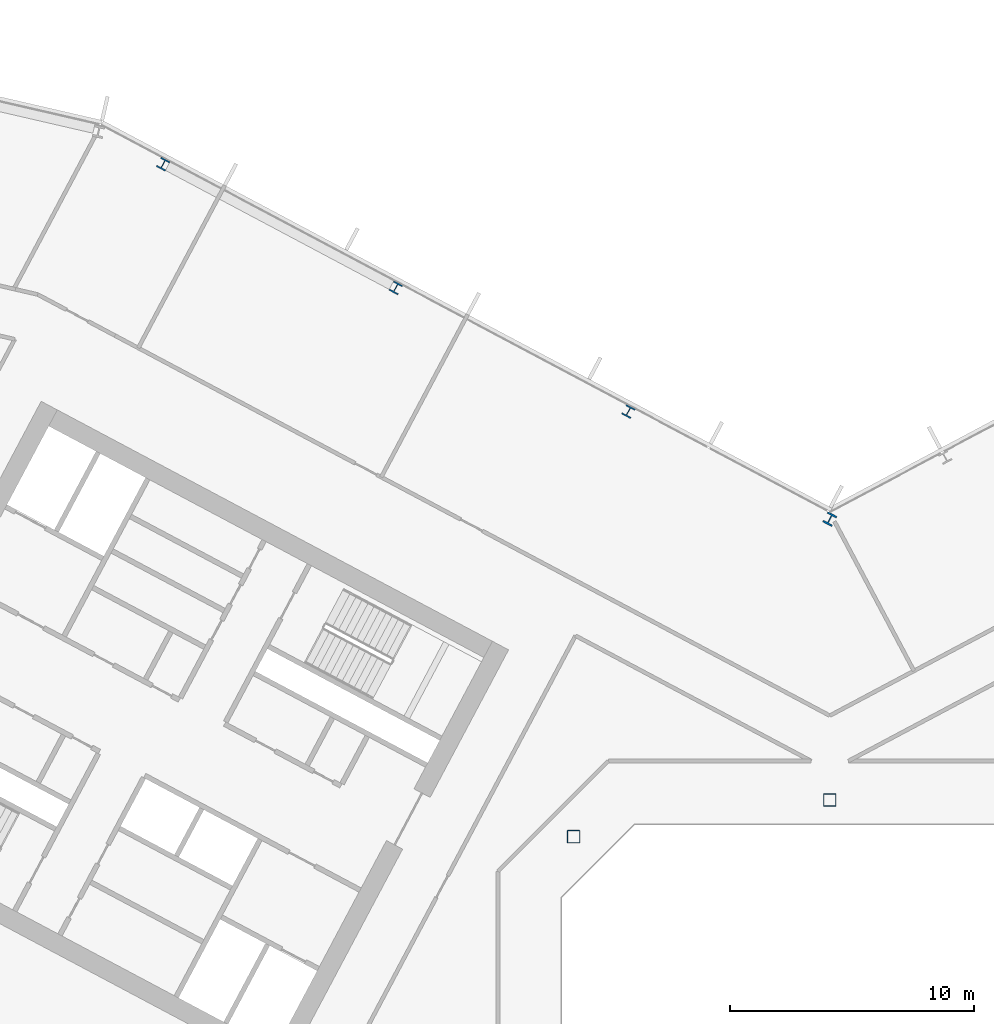
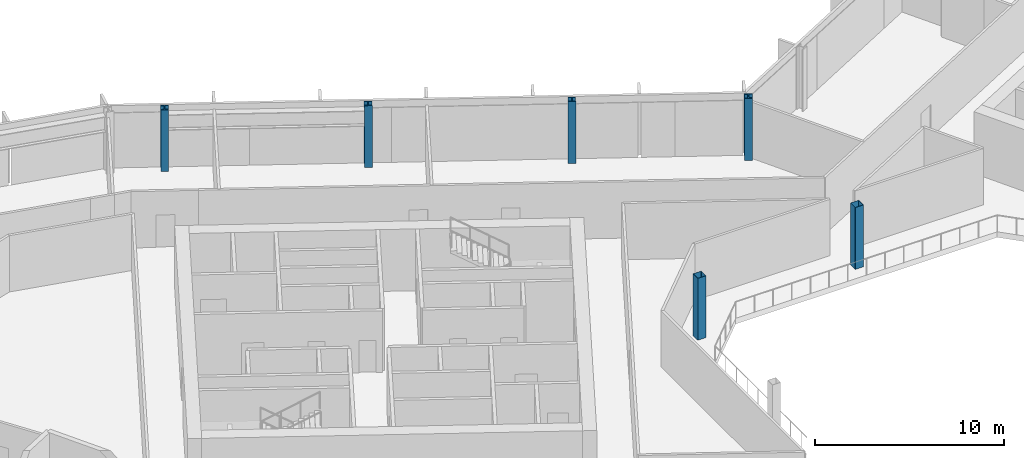
# One storey, part 4 of 28: 6 columns.
"""IFC4 building model written with IfcOpenShell, lengths in metres."""

import ifcopenshell
import ifcopenshell.guid

model = None  # the IFC model being written
_history = None  # IfcOwnerHistory: only IFC2X3 demands one
_inside = {}  # id of a spatial element -> (the spatial element, [elements in it])
_under = {}  # id of a project, library or spatial element -> (it, [spatial elements below it])
_declared = {}  # id of a project -> (the project, [libraries it declares])
_typed = {}  # id of a type object -> (the type object, [elements of that type])
_made_of = {}  # id of a material, layer set ... -> (it, [elements and type objects made of it])


def new_model(schema):
    """Start an empty IFC model of exactly this schema.

    Asked for "IFC4X3", IfcOpenShell would pick the latest addendum, in which some entities
    have other attributes; the version numbers below select the first issue.
    IFC2X3 requires an IfcOwnerHistory on every rooted entity: one is made here for all.
    """
    global model, _history
    if schema == "IFC4X3":
        model = ifcopenshell.file(schema_version=(4, 3, 0, 0))
    else:
        model = ifcopenshell.file(schema=schema)
    _inside.clear()
    _under.clear()
    _declared.clear()
    _typed.clear()
    _made_of.clear()
    _history = None
    if model.schema == "IFC2X3":
        org = make("IfcOrganization", Name="unknown")
        user = make(
            "IfcPersonAndOrganization",
            ThePerson=make("IfcPerson", FamilyName="unknown"),
            TheOrganization=org,
        )
        app = make(
            "IfcApplication",
            ApplicationDeveloper=org,
            Version="unknown",
            ApplicationFullName="unknown",
            ApplicationIdentifier="unknown",
        )
        _history = make(
            "IfcOwnerHistory",
            OwningUser=user,
            OwningApplication=app,
            ChangeAction="ADDED",
            CreationDate=0,
        )
    return model


def make(cls, **values):
    """One entity of the class cls with the attributes given. An attribute that is None is left unset."""
    return model.create_entity(
        cls, **{name: value for name, value in values.items() if value is not None}
    )


def rooted(cls, **values):
    """An entity with a GlobalId (a new one), such as an element, a storey or a relation."""
    return make(cls, GlobalId=ifcopenshell.guid.new(), OwnerHistory=_history, **values)


def si_unit(unit_type, name, prefix=None):
    """IfcSIUnit, for example si_unit("LENGTHUNIT", "METRE", prefix="MILLI")."""
    return make("IfcSIUnit", UnitType=unit_type, Prefix=prefix, Name=name)


def assignment(units):
    """IfcUnitAssignment: the units of a project."""
    return None if units is None else make("IfcUnitAssignment", Units=units)


def point(xyz):
    """IfcCartesianPoint."""
    return None if xyz is None else make("IfcCartesianPoint", Coordinates=xyz)


def direction(xyz):
    """IfcDirection."""
    return None if xyz is None else make("IfcDirection", DirectionRatios=xyz)


def frame(location, z_axis=None, x_axis=None):
    """IfcAxis2Placement3D, a coordinate frame: its origin and axes. An axis left out is left unset."""
    return make(
        "IfcAxis2Placement3D",
        Location=point(location),
        Axis=direction(z_axis),
        RefDirection=direction(x_axis),
    )


def frame_2d(location, x_axis=None):
    """IfcAxis2Placement2D, a coordinate frame in the plane: its origin and x axis."""
    return make(
        "IfcAxis2Placement2D", Location=point(location), RefDirection=direction(x_axis)
    )


def origin():
    """The frame at (0, 0, 0) with its axes left unset."""
    return frame((0.0, 0.0, 0.0))


def origin_2d():
    """The frame at (0, 0) in the plane with its x axis left unset."""
    return frame_2d((0.0, 0.0))


def place(relative_to, where):
    """IfcLocalPlacement: puts the frame where relative to a parent placement (None: the world)."""
    return make(
        "IfcLocalPlacement", PlacementRelTo=relative_to, RelativePlacement=where
    )


def context(
    kind, dimensions, precision=None, world=None, true_north=None, identifier=None
):
    """IfcGeometricRepresentationContext, for example the 3D "Model" context."""
    return make(
        "IfcGeometricRepresentationContext",
        ContextIdentifier=identifier,
        ContextType=kind,
        CoordinateSpaceDimension=dimensions,
        Precision=precision,
        WorldCoordinateSystem=world,
        TrueNorth=true_north,
    )


def subcontext(parent, identifier, kind, view, scale=None):
    """IfcGeometricRepresentationSubContext, for example "Body" below "Model"."""
    return make(
        "IfcGeometricRepresentationSubContext",
        ContextIdentifier=identifier,
        ContextType=kind,
        ParentContext=parent,
        TargetScale=scale,
        TargetView=view,
    )


def project(units=None, contexts=None):
    """IfcProject with its units and contexts."""
    return rooted(
        "IfcProject",
        Name="project",
        RepresentationContexts=contexts,
        UnitsInContext=assignment(units),
    )


def spatial(cls, under=None, at=None, **own):
    """A site, building, storey or space (cls), placed at a placement, below another one or the project."""
    s = rooted(cls, ObjectPlacement=at, **own)
    if under is not None:
        _under.setdefault(under.id(), (under, []))[1].append(s)
    return s


def profile(cls, at=None, kind="AREA", **sizes):
    """A parametric profile (cls). Its sizes go by their IFC names, for example OverallWidth=200.0."""
    return make(cls, ProfileType=kind, Position=at, **sizes)


def hollow_rectangle(**sizes):
    """IfcRectangleHollowProfileDef."""
    return profile("IfcRectangleHollowProfileDef", **sizes)


def i_section(**sizes):
    """IfcIShapeProfileDef."""
    return profile("IfcIShapeProfileDef", **sizes)


def extrude(swept, where, along, depth):
    """IfcExtrudedAreaSolid: the profile swept, set in the frame where, extruded along a direction by depth."""
    return make(
        "IfcExtrudedAreaSolid",
        SweptArea=swept,
        Position=where,
        ExtrudedDirection=direction(along),
        Depth=depth,
    )


def shape(context_of_items, identifier, shape_type, items):
    """IfcShapeRepresentation: the items that make up one representation, for example the "Body"."""
    return make(
        "IfcShapeRepresentation",
        ContextOfItems=context_of_items,
        RepresentationIdentifier=identifier,
        RepresentationType=shape_type,
        Items=items,
    )


def material(Name=None, Category=None):
    """IfcMaterial."""
    return make("IfcMaterial", Name=Name, Category=Category)


def material_profile(
    of_material, cross_section, Name=None, Category=None, Priority=None
):
    """IfcMaterialProfile: a cross section and its material."""
    return make(
        "IfcMaterialProfile",
        Name=Name,
        Material=of_material,
        Profile=cross_section,
        Priority=Priority,
        Category=Category,
    )


def profile_set(profiles, Name=None, composite=None):
    """IfcMaterialProfileSet."""
    return make(
        "IfcMaterialProfileSet",
        Name=Name,
        MaterialProfiles=profiles,
        CompositeProfile=composite,
    )


def made_of(thing, what):
    """Note that an element or type object is made of a material, layer set ...; save() writes the relation."""
    if what is not None:
        _made_of.setdefault(what.id(), (what, []))[1].append(thing)
    return thing


def type_object(cls, material=None, **own):
    """A type object (cls), such as IfcWallType, which elements share."""
    return made_of(rooted(cls, **own), material)


def element(
    cls,
    number,
    at=None,
    inside=None,
    cuts=None,
    type_object=None,
    material=None,
    context=None,
    identifier="Body",
    shape_type=None,
    held_by="IfcProductDefinitionShape",
    body=None,
    shapes=None,
    **own,
):
    """One element of the class cls, such as IfcWall. Its Tag is "e" and its number.

    at: its placement. inside: the storey or other place that contains it. cuts: it is an
    opening in that element (IfcRelVoidsElement). A single representation is given by context,
    identifier, shape_type and body (its items); several are given by shapes. held_by: the class
    of the entity that holds the representations. save() writes the other relations.
    """
    e = rooted(cls, Tag="e%d" % number, ObjectPlacement=at, **own)
    if body is not None:
        shapes = [shape(context, identifier, shape_type, body)]
    if shapes is not None:
        e.Representation = make(held_by, Representations=shapes)
    if inside is not None:
        _inside.setdefault(inside.id(), (inside, []))[1].append(e)
    if cuts is not None:
        rooted(
            "IfcRelVoidsElement", RelatingBuildingElement=cuts, RelatedOpeningElement=e
        )
    if type_object is not None:
        _typed.setdefault(type_object.id(), (type_object, []))[1].append(e)
    return made_of(e, material)


def aggregate(whole, parts):
    """IfcRelAggregates: a whole, such as a stair, and the parts it consists of."""
    return rooted("IfcRelAggregates", RelatingObject=whole, RelatedObjects=parts)


def save(model, path):
    """Write the relations noted so far, then the file.

    IfcRelAggregates (storeys below a building ...), IfcRelContainedInSpatialStructure (elements
    in a storey), IfcRelDefinesByType, IfcRelAssociatesMaterial and IfcRelDeclares: one each for
    every whole, place, type object, material and project.
    """
    for whole, parts in _under.values():
        aggregate(whole, parts)
    for where, things in _inside.values():
        rooted(
            "IfcRelContainedInSpatialStructure",
            RelatedElements=things,
            RelatingStructure=where,
        )
    for kind, things in _typed.values():
        rooted("IfcRelDefinesByType", RelatedObjects=things, RelatingType=kind)
    for what, things in _made_of.values():
        rooted("IfcRelAssociatesMaterial", RelatedObjects=things, RelatingMaterial=what)
    for by, libraries in _declared.values():
        rooted("IfcRelDeclares", RelatingContext=by, RelatedDefinitions=libraries)
    model.write(path)


model = new_model("IFC4")

# Units and contexts
model_context = context("Model", 3, precision=1e-05, world=origin(), true_north=direction((0.0, 1.0)))
body_context = subcontext(model_context, "Body", "Model", "MODEL_VIEW")
ifc_project = project(units=[si_unit("LENGTHUNIT", "METRE"), si_unit("AREAUNIT", "SQUARE_METRE"), si_unit("VOLUMEUNIT", "CUBIC_METRE"), si_unit("PLANEANGLEUNIT", "RADIAN"), si_unit("MASSUNIT", "GRAM", prefix="KILO")], contexts=[model_context])

# Site, building, storey
site_placement = place(None, origin())
site = spatial("IfcSite", under=ifc_project, at=site_placement, CompositionType="ELEMENT")
building_placement = place(site_placement, origin())
building = spatial("IfcBuilding", under=site, at=building_placement, Name="Cormorant Relay Tower", CompositionType="ELEMENT")
storey_placement = place(building_placement, frame((0.0, 0.0, 166.199951171875)))
storey = spatial("IfcBuildingStorey", under=building, at=storey_placement, Name="L35", CompositionType="ELEMENT", Elevation=166.199951171875)

# Columns
ifc_material_1 = material(Name="Steel ASTM A500 Grade C (Fy 345 MPa)", Category="steel")
ifc_material_profile_1 = material_profile(ifc_material_1, hollow_rectangle(XDim=0.508056640625, YDim=0.508056640625, WallThickness=0.01171875, InnerFilletRadius=0.005859375, OuterFilletRadius=0.017822265625, at=origin_2d()), Name="HSS508x508x12")
ifc_profile_set_1 = profile_set([ifc_material_profile_1], Name="Steel ASTM A500 Grade C (Fy 345 MPa)")
column_type_1 = type_object("IfcColumnType", Name="Column HSS508x508x12", PredefinedType="COLUMN", material=ifc_profile_set_1)
for number, where, z_axis, x_axis, name in (
    (1, (-10.5, 10.5, 0.0), (0.0, 0.0, 1.0), (1.0, 0.0, 0.0), "Column L35-023"),
    (2, (0.0, 12.0, 0.0), (0.0, 0.0, 1.0), (1.0, 0.0, 0.0), "Column L35-025"),
):
    element("IfcColumn", number, at=place(storey_placement, frame(where, z_axis=z_axis, x_axis=x_axis)), inside=storey, type_object=column_type_1, Name=name, PredefinedType="COLUMN", context=body_context, shape_type="SweptSolid", body=[
        extrude(hollow_rectangle(XDim=0.508056640625, YDim=0.508056640625, WallThickness=0.01171875, InnerFilletRadius=0.005859375, OuterFilletRadius=0.017822265625, at=origin_2d()), origin(), (0.0, 0.0, 1.0), 4.0),
    ])
ifc_material_2 = material(Name="Steel ASTM A992 (Fy 345 MPa)", Category="steel")
ifc_material_profile_2 = material_profile(ifc_material_2, i_section(OverallWidth=0.41162109375, OverallDepth=0.434326171875, WebThickness=0.035888671875, FlangeThickness=0.057373046875, FilletRadius=0.01513671875, at=origin_2d()), Name="W360x463")
ifc_profile_set_2 = profile_set([ifc_material_profile_2], Name="Steel ASTM A992 (Fy 345 MPa)")
column_type_2 = type_object("IfcColumnType", Name="Column W360x463", PredefinedType="COLUMN", material=ifc_profile_set_2)
for number, where, z_axis, x_axis, name in (
    (3, (-8.257080078125, 27.925048828125, 0.0), (0.0, 0.0, 1.0), (-0.882947592859, 0.469471562786, 0.0), "Column L35-036"),
    (4, (-17.7919921875, 32.9951171875, 0.0), (0.0, 0.0, 1.0), (-0.882947592859, 0.469471562786, 0.0), "Column L35-040"),
    (5, (-27.327880859375, 38.06494140625, 0.0), (0.0, 0.0, 1.0), (-0.882947592859, 0.469471562786, 0.0), "Column L35-044"),
):
    element("IfcColumn", number, at=place(storey_placement, frame(where, z_axis=z_axis, x_axis=x_axis)), inside=storey, type_object=column_type_2, Name=name, PredefinedType="COLUMN", context=body_context, shape_type="SweptSolid", body=[
        extrude(i_section(OverallWidth=0.41162109375, OverallDepth=0.434326171875, WebThickness=0.035888671875, FlangeThickness=0.057373046875, FilletRadius=0.01513671875, at=origin_2d()), origin(), (0.0, 0.0, 1.0), 4.0),
    ])
ifc_material_3 = material(Name="Steel ASTM A992 (Fy 345 MPa)", Category="steel")
ifc_material_profile_3 = material_profile(ifc_material_3, i_section(OverallWidth=0.42431640625, OverallDepth=0.47509765625, WebThickness=0.0478515625, FlangeThickness=0.0771484375, FilletRadius=0.014892578125, at=origin_2d()), Name="W360x634")
ifc_profile_set_3 = profile_set([ifc_material_profile_3], Name="Steel ASTM A992 (Fy 345 MPa)")
column_type_3 = type_object("IfcColumnType", Name="Column W360x634", PredefinedType="COLUMN", material=ifc_profile_set_3)
column_placement = place(storey_placement, frame((0.0, 23.513916015625, 0.0), z_axis=(0.0, 0.0, 1.0), x_axis=(-0.882947592859, 0.469471562786, 0.0)))
element("IfcColumn", 6, at=column_placement, inside=storey, type_object=column_type_3, Name="Column L35-032", PredefinedType="COLUMN", context=body_context, shape_type="SweptSolid", body=[
    extrude(i_section(OverallWidth=0.42431640625, OverallDepth=0.47509765625, WebThickness=0.0478515625, FlangeThickness=0.0771484375, FilletRadius=0.014892578125, at=origin_2d()), origin(), (0.0, 0.0, 1.0), 4.0),
])

save(model, "model.ifc")
